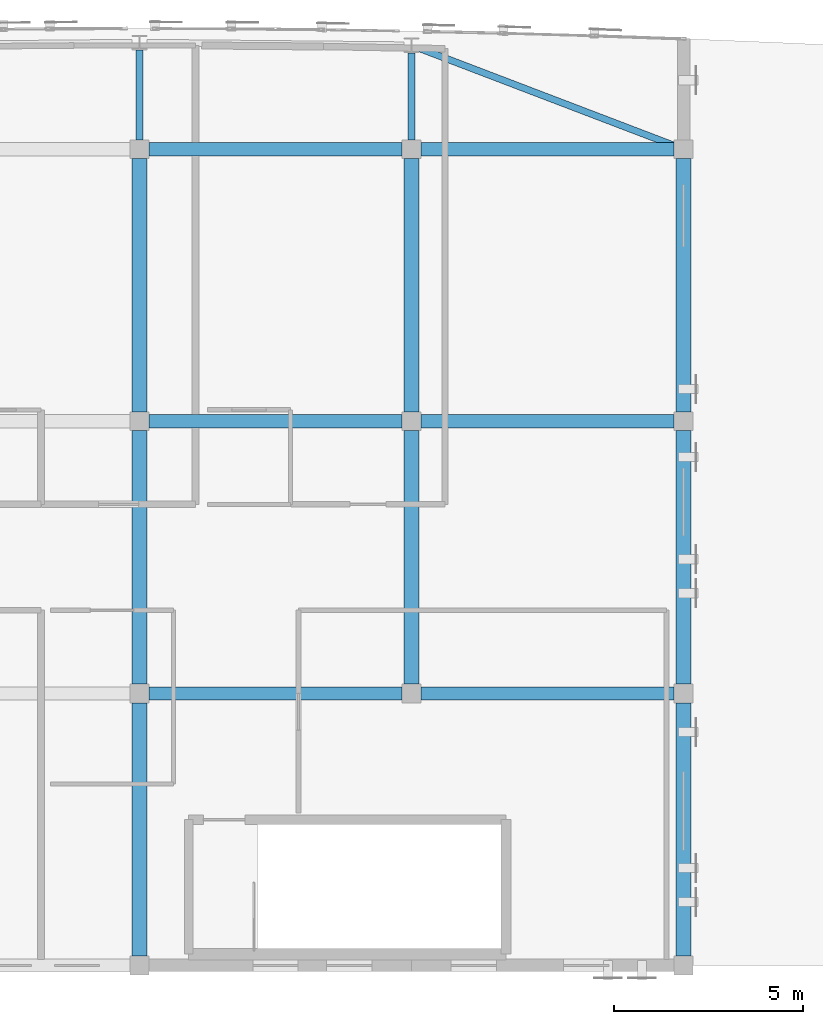
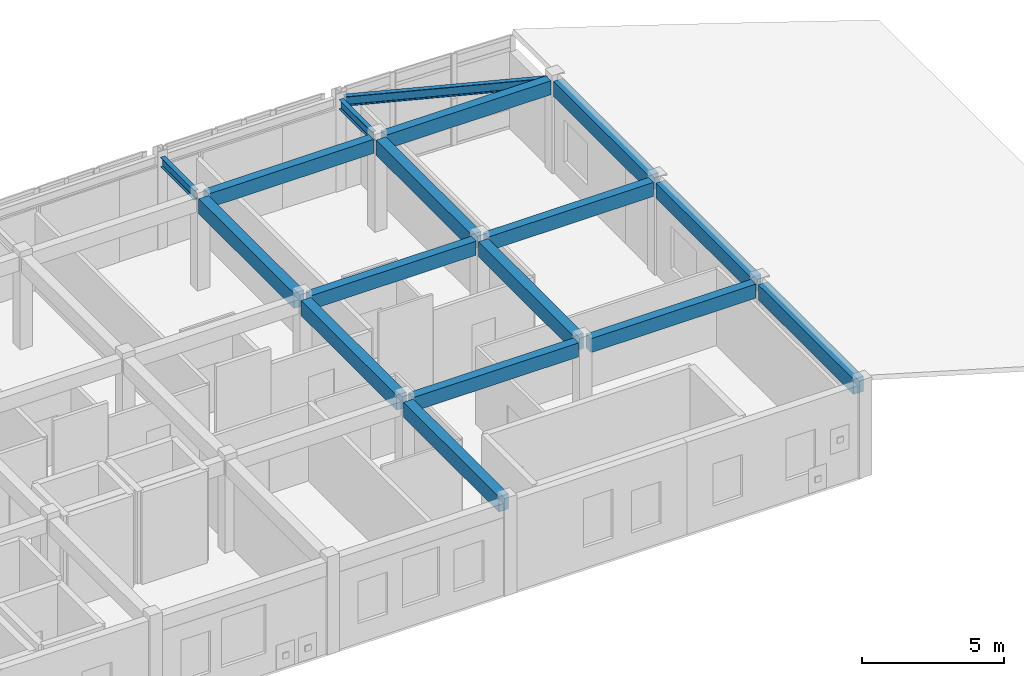
# One storey, part 13 of 24: 17 beams.
"""IFC4 building model written with IfcOpenShell, lengths in metres."""

import ifcopenshell
import ifcopenshell.guid

model = None  # the IFC model being written
_history = None  # IfcOwnerHistory: only IFC2X3 demands one
_inside = {}  # id of a spatial element -> (the spatial element, [elements in it])
_under = {}  # id of a project, library or spatial element -> (it, [spatial elements below it])
_declared = {}  # id of a project -> (the project, [libraries it declares])
_typed = {}  # id of a type object -> (the type object, [elements of that type])
_made_of = {}  # id of a material, layer set ... -> (it, [elements and type objects made of it])


def new_model(schema):
    """Start an empty IFC model of exactly this schema.

    Asked for "IFC4X3", IfcOpenShell would pick the latest addendum, in which some entities
    have other attributes; the version numbers below select the first issue.
    IFC2X3 requires an IfcOwnerHistory on every rooted entity: one is made here for all.
    """
    global model, _history
    if schema == "IFC4X3":
        model = ifcopenshell.file(schema_version=(4, 3, 0, 0))
    else:
        model = ifcopenshell.file(schema=schema)
    _inside.clear()
    _under.clear()
    _declared.clear()
    _typed.clear()
    _made_of.clear()
    _history = None
    if model.schema == "IFC2X3":
        org = make("IfcOrganization", Name="unknown")
        user = make(
            "IfcPersonAndOrganization",
            ThePerson=make("IfcPerson", FamilyName="unknown"),
            TheOrganization=org,
        )
        app = make(
            "IfcApplication",
            ApplicationDeveloper=org,
            Version="unknown",
            ApplicationFullName="unknown",
            ApplicationIdentifier="unknown",
        )
        _history = make(
            "IfcOwnerHistory",
            OwningUser=user,
            OwningApplication=app,
            ChangeAction="ADDED",
            CreationDate=0,
        )
    return model


def make(cls, **values):
    """One entity of the class cls with the attributes given. An attribute that is None is left unset."""
    return model.create_entity(
        cls, **{name: value for name, value in values.items() if value is not None}
    )


def rooted(cls, **values):
    """An entity with a GlobalId (a new one), such as an element, a storey or a relation."""
    return make(cls, GlobalId=ifcopenshell.guid.new(), OwnerHistory=_history, **values)


def si_unit(unit_type, name, prefix=None):
    """IfcSIUnit, for example si_unit("LENGTHUNIT", "METRE", prefix="MILLI")."""
    return make("IfcSIUnit", UnitType=unit_type, Prefix=prefix, Name=name)


def assignment(units):
    """IfcUnitAssignment: the units of a project."""
    return None if units is None else make("IfcUnitAssignment", Units=units)


def point(xyz):
    """IfcCartesianPoint."""
    return None if xyz is None else make("IfcCartesianPoint", Coordinates=xyz)


def direction(xyz):
    """IfcDirection."""
    return None if xyz is None else make("IfcDirection", DirectionRatios=xyz)


def frame(location, z_axis=None, x_axis=None):
    """IfcAxis2Placement3D, a coordinate frame: its origin and axes. An axis left out is left unset."""
    return make(
        "IfcAxis2Placement3D",
        Location=point(location),
        Axis=direction(z_axis),
        RefDirection=direction(x_axis),
    )


def frame_2d(location, x_axis=None):
    """IfcAxis2Placement2D, a coordinate frame in the plane: its origin and x axis."""
    return make(
        "IfcAxis2Placement2D", Location=point(location), RefDirection=direction(x_axis)
    )


def origin():
    """The frame at (0, 0, 0) with its axes left unset."""
    return frame((0.0, 0.0, 0.0))


def origin_2d():
    """The frame at (0, 0) in the plane with its x axis left unset."""
    return frame_2d((0.0, 0.0))


def place(relative_to, where):
    """IfcLocalPlacement: puts the frame where relative to a parent placement (None: the world)."""
    return make(
        "IfcLocalPlacement", PlacementRelTo=relative_to, RelativePlacement=where
    )


def context(
    kind, dimensions, precision=None, world=None, true_north=None, identifier=None
):
    """IfcGeometricRepresentationContext, for example the 3D "Model" context."""
    return make(
        "IfcGeometricRepresentationContext",
        ContextIdentifier=identifier,
        ContextType=kind,
        CoordinateSpaceDimension=dimensions,
        Precision=precision,
        WorldCoordinateSystem=world,
        TrueNorth=true_north,
    )


def subcontext(parent, identifier, kind, view, scale=None):
    """IfcGeometricRepresentationSubContext, for example "Body" below "Model"."""
    return make(
        "IfcGeometricRepresentationSubContext",
        ContextIdentifier=identifier,
        ContextType=kind,
        ParentContext=parent,
        TargetScale=scale,
        TargetView=view,
    )


def project(units=None, contexts=None):
    """IfcProject with its units and contexts."""
    return rooted(
        "IfcProject",
        Name="project",
        RepresentationContexts=contexts,
        UnitsInContext=assignment(units),
    )


def spatial(cls, under=None, at=None, **own):
    """A site, building, storey or space (cls), placed at a placement, below another one or the project."""
    s = rooted(cls, ObjectPlacement=at, **own)
    if under is not None:
        _under.setdefault(under.id(), (under, []))[1].append(s)
    return s


def profile(cls, at=None, kind="AREA", **sizes):
    """A parametric profile (cls). Its sizes go by their IFC names, for example OverallWidth=200.0."""
    return make(cls, ProfileType=kind, Position=at, **sizes)


def rectangle(**sizes):
    """IfcRectangleProfileDef."""
    return profile("IfcRectangleProfileDef", **sizes)


def i_section(**sizes):
    """IfcIShapeProfileDef."""
    return profile("IfcIShapeProfileDef", **sizes)


def extrude(swept, where, along, depth):
    """IfcExtrudedAreaSolid: the profile swept, set in the frame where, extruded along a direction by depth."""
    return make(
        "IfcExtrudedAreaSolid",
        SweptArea=swept,
        Position=where,
        ExtrudedDirection=direction(along),
        Depth=depth,
    )


def shape(context_of_items, identifier, shape_type, items):
    """IfcShapeRepresentation: the items that make up one representation, for example the "Body"."""
    return make(
        "IfcShapeRepresentation",
        ContextOfItems=context_of_items,
        RepresentationIdentifier=identifier,
        RepresentationType=shape_type,
        Items=items,
    )


def material(Name=None, Category=None):
    """IfcMaterial."""
    return make("IfcMaterial", Name=Name, Category=Category)


def material_profile(
    of_material, cross_section, Name=None, Category=None, Priority=None
):
    """IfcMaterialProfile: a cross section and its material."""
    return make(
        "IfcMaterialProfile",
        Name=Name,
        Material=of_material,
        Profile=cross_section,
        Priority=Priority,
        Category=Category,
    )


def profile_set(profiles, Name=None, composite=None):
    """IfcMaterialProfileSet."""
    return make(
        "IfcMaterialProfileSet",
        Name=Name,
        MaterialProfiles=profiles,
        CompositeProfile=composite,
    )


def made_of(thing, what):
    """Note that an element or type object is made of a material, layer set ...; save() writes the relation."""
    if what is not None:
        _made_of.setdefault(what.id(), (what, []))[1].append(thing)
    return thing


def type_object(cls, material=None, **own):
    """A type object (cls), such as IfcWallType, which elements share."""
    return made_of(rooted(cls, **own), material)


def element(
    cls,
    number,
    at=None,
    inside=None,
    cuts=None,
    type_object=None,
    material=None,
    context=None,
    identifier="Body",
    shape_type=None,
    held_by="IfcProductDefinitionShape",
    body=None,
    shapes=None,
    **own,
):
    """One element of the class cls, such as IfcWall. Its Tag is "e" and its number.

    at: its placement. inside: the storey or other place that contains it. cuts: it is an
    opening in that element (IfcRelVoidsElement). A single representation is given by context,
    identifier, shape_type and body (its items); several are given by shapes. held_by: the class
    of the entity that holds the representations. save() writes the other relations.
    """
    e = rooted(cls, Tag="e%d" % number, ObjectPlacement=at, **own)
    if body is not None:
        shapes = [shape(context, identifier, shape_type, body)]
    if shapes is not None:
        e.Representation = make(held_by, Representations=shapes)
    if inside is not None:
        _inside.setdefault(inside.id(), (inside, []))[1].append(e)
    if cuts is not None:
        rooted(
            "IfcRelVoidsElement", RelatingBuildingElement=cuts, RelatedOpeningElement=e
        )
    if type_object is not None:
        _typed.setdefault(type_object.id(), (type_object, []))[1].append(e)
    return made_of(e, material)


def aggregate(whole, parts):
    """IfcRelAggregates: a whole, such as a stair, and the parts it consists of."""
    return rooted("IfcRelAggregates", RelatingObject=whole, RelatedObjects=parts)


def save(model, path):
    """Write the relations noted so far, then the file.

    IfcRelAggregates (storeys below a building ...), IfcRelContainedInSpatialStructure (elements
    in a storey), IfcRelDefinesByType, IfcRelAssociatesMaterial and IfcRelDeclares: one each for
    every whole, place, type object, material and project.
    """
    for whole, parts in _under.values():
        aggregate(whole, parts)
    for where, things in _inside.values():
        rooted(
            "IfcRelContainedInSpatialStructure",
            RelatedElements=things,
            RelatingStructure=where,
        )
    for kind, things in _typed.values():
        rooted("IfcRelDefinesByType", RelatedObjects=things, RelatingType=kind)
    for what, things in _made_of.values():
        rooted("IfcRelAssociatesMaterial", RelatedObjects=things, RelatingMaterial=what)
    for by, libraries in _declared.values():
        rooted("IfcRelDeclares", RelatingContext=by, RelatedDefinitions=libraries)
    model.write(path)


model = new_model("IFC4")

# Units and contexts
model_context = context("Model", 3, precision=1e-05, world=origin(), true_north=direction((0.0, 1.0)))
body_context = subcontext(model_context, "Body", "Model", "MODEL_VIEW")
ifc_project = project(units=[si_unit("LENGTHUNIT", "METRE"), si_unit("AREAUNIT", "SQUARE_METRE"), si_unit("VOLUMEUNIT", "CUBIC_METRE"), si_unit("PLANEANGLEUNIT", "RADIAN"), si_unit("MASSUNIT", "GRAM", prefix="KILO")], contexts=[model_context])

# Site, building, storey
site_placement = place(None, origin())
site = spatial("IfcSite", under=ifc_project, at=site_placement, CompositionType="ELEMENT")
building_placement = place(site_placement, origin())
building = spatial("IfcBuilding", under=site, at=building_placement, Name="Carrowvane Square Congress Hotel", CompositionType="ELEMENT")
storey_placement = place(building_placement, frame((0.0, 0.0, 44.39990234375)))
storey = spatial("IfcBuildingStorey", under=building, at=storey_placement, Name="L11", CompositionType="ELEMENT", Elevation=44.39990234375)

# Beams
ifc_material_1 = material(Name="Concrete C35/45", Category="concrete")
ifc_material_profile_1 = material_profile(ifc_material_1, rectangle(XDim=0.35009765625, YDim=0.60009765625, at=origin_2d()), Name="RC 350x600")
ifc_profile_set_1 = profile_set([ifc_material_profile_1], Name="Concrete C35/45")
beam_type_1 = type_object("IfcBeamType", Name="BM-RC-350x600", PredefinedType="BEAM", material=ifc_profile_set_1)
for number, where, z_axis, x_axis, name in (
    (1, (98.25, 99.0, 3.650146484375), (1.0, 0.0, 0.0), (0.0, 1.0, 0.0), "RF girder P/13-14"),
    (2, (105.449951171875, 99.0, 3.650146484375), (1.0, 0.0, 0.0), (0.0, 1.0, 0.0), "RF girder P/14-15"),
    (3, (98.25, 106.199951171875, 3.650146484375), (1.0, 0.0, 0.0), (0.0, 1.0, 0.0), "RF girder Q/13-14"),
    (4, (105.449951171875, 106.199951171875, 3.650146484375), (1.0, 0.0, 0.0), (0.0, 1.0, 0.0), "RF girder Q/14-15"),
    (5, (98.25, 113.39990234375, 3.650146484375), (1.0, 0.0, 0.0), (0.0, 1.0, 0.0), "RF girder R/13-14"),
    (6, (105.449951171875, 113.39990234375, 3.650146484375), (1.0, 0.0, 0.0), (0.0, 1.0, 0.0), "RF girder R/14-15"),
):
    element("IfcBeam", number, at=place(storey_placement, frame(where, z_axis=z_axis, x_axis=x_axis)), inside=storey, type_object=beam_type_1, Name=name, PredefinedType="BEAM", context=body_context, shape_type="SweptSolid", body=[
        extrude(rectangle(XDim=0.35009765625, YDim=0.60009765625, at=origin_2d()), origin(), (0.0, 0.0, 1.0), 6.699951171875),
    ])
ifc_material_2 = material(Name="Concrete C35/45", Category="concrete")
ifc_material_profile_2 = material_profile(ifc_material_2, rectangle(XDim=0.39990234375, YDim=0.64990234375, at=origin_2d()), Name="RC 400x650")
ifc_profile_set_2 = profile_set([ifc_material_profile_2], Name="Concrete C35/45")
beam_type_2 = type_object("IfcBeamType", Name="BM-RC-400x650", PredefinedType="BEAM", material=ifc_profile_set_2)
for number, where, z_axis, x_axis, name in (
    (7, (98.0, 92.050048828125, 3.625), (0.0, 1.0, 0.0), (-1.0, 0.0, 0.0), "RF girder 13/N-P"),
    (8, (98.0, 99.25, 3.625), (0.0, 1.0, 0.0), (-1.0, 0.0, 0.0), "RF girder 13/P-Q"),
    (9, (98.0, 106.449951171875, 3.625), (0.0, 1.0, 0.0), (-1.0, 0.0, 0.0), "RF girder 13/Q-R"),
    (10, (105.199951171875, 99.25, 3.625), (0.0, 1.0, 0.0), (-1.0, 0.0, 0.0), "RF girder 14/P-Q"),
    (11, (105.199951171875, 106.449951171875, 3.625), (0.0, 1.0, 0.0), (-1.0, 0.0, 0.0), "RF girder 14/Q-R"),
    (12, (112.39990234375, 92.050048828125, 3.625), (0.0, 1.0, 0.0), (-1.0, 0.0, 0.0), "RF girder 15/N-P"),
    (13, (112.39990234375, 99.25, 3.625), (0.0, 1.0, 0.0), (-1.0, 0.0, 0.0), "RF girder 15/P-Q"),
    (14, (112.39990234375, 106.449951171875, 3.625), (0.0, 1.0, 0.0), (-1.0, 0.0, 0.0), "RF girder 15/Q-R"),
):
    element("IfcBeam", number, at=place(storey_placement, frame(where, z_axis=z_axis, x_axis=x_axis)), inside=storey, type_object=beam_type_2, Name=name, PredefinedType="BEAM", context=body_context, shape_type="SweptSolid", body=[
        extrude(rectangle(XDim=0.39990234375, YDim=0.64990234375, at=origin_2d()), origin(), (0.0, 0.0, 1.0), 6.699951171875),
    ])
ifc_material_3 = material(Name="Steel S355", Category="steel")
ifc_material_profile_3 = material_profile(ifc_material_3, i_section(OverallWidth=0.1787109375, OverallDepth=0.409423828125, WebThickness=0.0087890625, FlangeThickness=0.014404296875, FilletRadius=0.01025390625, at=origin_2d()), Name="UKB 406x178x67")
ifc_profile_set_3 = profile_set([ifc_material_profile_3], Name="Steel S355")
beam_type_3 = type_object("IfcBeamType", Name="BM-ST-UKB406", PredefinedType="BEAM", material=ifc_profile_set_3)
beam_1_placement = place(storey_placement, frame((98.0, 113.64990234375, 3.745361328125), z_axis=(0.0, 1.0, 0.0), x_axis=(-1.0, 0.0, 0.0)))
element("IfcBeam", 15, at=beam_1_placement, inside=storey, type_object=beam_type_3, Name="RF radial north beam 13", PredefinedType="BEAM", context=body_context, shape_type="SweptSolid", body=[
    extrude(i_section(OverallWidth=0.1787109375, OverallDepth=0.409423828125, WebThickness=0.0087890625, FlangeThickness=0.014404296875, FilletRadius=0.01025390625, at=origin_2d()), origin(), (0.0, 0.0, 1.0), 2.372802734375),
])
beam_2_placement = place(storey_placement, frame((105.384521484375, 116.079345703125, 3.745361328125), z_axis=(0.934190672592, -0.356774140377, 0.0), x_axis=(0.356774140377, 0.934190672592, 0.0)))
element("IfcBeam", 16, at=beam_2_placement, inside=storey, type_object=beam_type_3, Name="RF curved north spandrel", PredefinedType="BEAM", context=body_context, shape_type="SweptSolid", body=[
    extrude(i_section(OverallWidth=0.1787109375, OverallDepth=0.409423828125, WebThickness=0.0087890625, FlangeThickness=0.014404296875, FilletRadius=0.01025390625, at=origin_2d()), origin(), (0.0, 0.0, 1.0), 7.259765625),
])
beam_3_placement = place(storey_placement, frame((105.199951171875, 113.64990234375, 3.745361328125), z_axis=(0.0, 1.0, 0.0), x_axis=(-1.0, 0.0, 0.0)))
element("IfcBeam", 17, at=beam_3_placement, inside=storey, type_object=beam_type_3, Name="RF radial north beam 14", PredefinedType="BEAM", context=body_context, shape_type="SweptSolid", body=[
    extrude(i_section(OverallWidth=0.1787109375, OverallDepth=0.409423828125, WebThickness=0.0087890625, FlangeThickness=0.014404296875, FilletRadius=0.01025390625, at=origin_2d()), origin(), (0.0, 0.0, 1.0), 2.302490234375),
])

save(model, "model.ifc")
